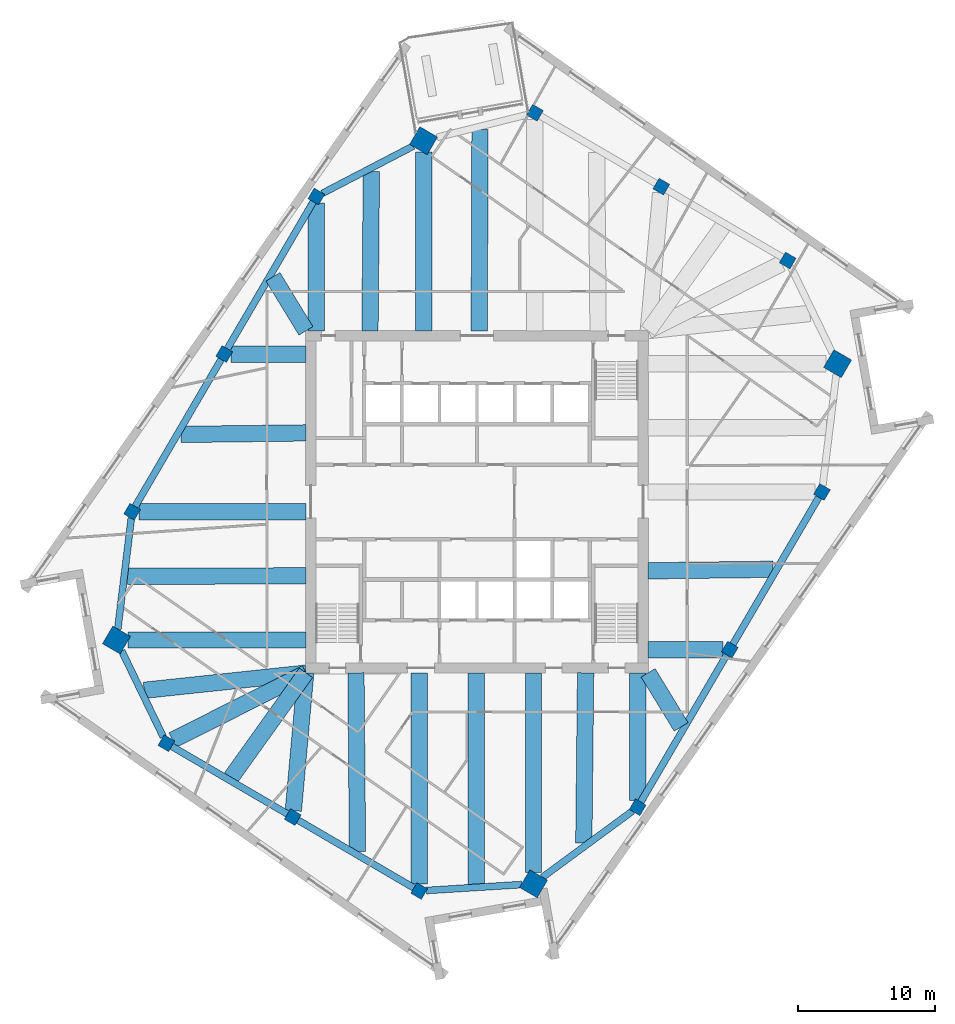
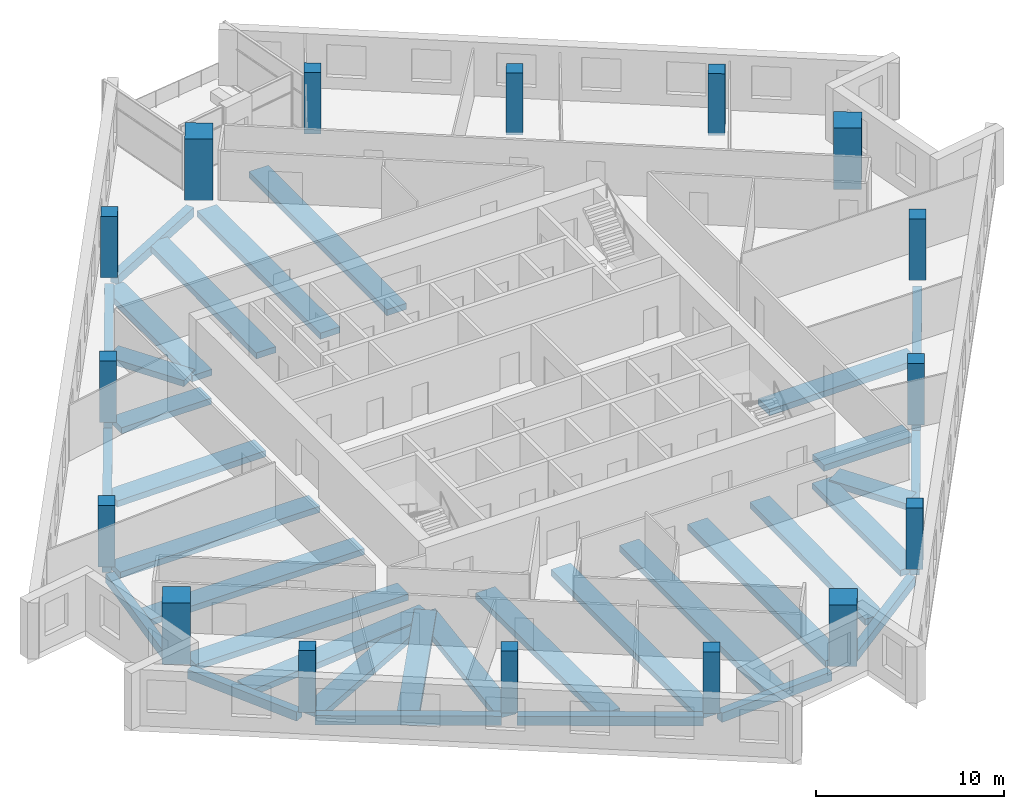
# One storey, part 1 of 13: 34 beams, 16 columns.
"""IFC4 building model written with IfcOpenShell, lengths in metres."""

from ifc_helpers import new_model, si_unit, direction, frame, origin, origin_2d, place, context, subcontext, project, spatial, rectangle, extrude, material, material_profile, profile_set, type_object, element, save


model = new_model("IFC4")

# Units and contexts
model_context = context("Model", 3, precision=1e-05, world=origin(), true_north=direction((0.0, 1.0)))
body_context = subcontext(model_context, "Body", "Model", "MODEL_VIEW")
ifc_project = project(units=[si_unit("LENGTHUNIT", "METRE"), si_unit("AREAUNIT", "SQUARE_METRE"), si_unit("VOLUMEUNIT", "CUBIC_METRE"), si_unit("PLANEANGLEUNIT", "RADIAN"), si_unit("MASSUNIT", "GRAM", prefix="KILO")], contexts=[model_context])

# Site, building, storey
site_placement = place(None, origin())
site = spatial("IfcSite", under=ifc_project, at=site_placement, CompositionType="ELEMENT")
building_placement = place(site_placement, origin())
building = spatial("IfcBuilding", under=site, at=building_placement, Name="Dilmun Exchange Tower", CompositionType="ELEMENT")
storey_placement = place(building_placement, frame((0.0, 0.0, 246.89990234375)))
storey = spatial("IfcBuildingStorey", under=building, at=storey_placement, Name="L58", CompositionType="ELEMENT", Elevation=246.89990234375)

# Columns
ifc_material_1 = material(Name="Concrete C50/60", Category="concrete")
ifc_material_profile_1 = material_profile(ifc_material_1, rectangle(XDim=1.5, YDim=1.5, at=origin_2d()), Name="1500 x 1500")
ifc_profile_set_1 = profile_set([ifc_material_profile_1], Name="Concrete C50/60")
column_type_1 = type_object("IfcColumnType", Name="RC mega column 1500 x 1500 C50/60", PredefinedType="COLUMN", material=ifc_profile_set_1)
for number, where, z_axis, x_axis, name in (
    (1, (-3.9150390625, 26.45703125, 0.0), (0.0, 0.0, 1.0), (0.504643651291, 0.863327739165, 0.0), "Mega column M1"),
    (2, (-26.4150390625, -10.1220703125, 0.0), (0.0, 0.0, 1.0), (0.504643651291, 0.863327739165, 0.0), "Mega column M2"),
    (3, (4.14111328125, -27.98291015625, 0.0), (0.0, 0.0, 1.0), (0.504643651291, 0.863327739165, 0.0), "Mega column M3"),
    (4, (26.4150390625, 10.1220703125, 0.0), (0.0, 0.0, 1.0), (0.504643651291, 0.863327739165, 0.0), "Mega column M4"),
):
    element("IfcColumn", number, at=place(storey_placement, frame(where, z_axis=z_axis, x_axis=x_axis)), inside=storey, type_object=column_type_1, Name=name, PredefinedType="COLUMN", context=body_context, shape_type="SweptSolid", body=[
        extrude(rectangle(XDim=1.5, YDim=1.5, at=origin_2d()), origin(), (0.0, 0.0, 1.0), 4.0),
    ])
ifc_material_profile_2 = material_profile(ifc_material_1, rectangle(XDim=0.89990234375, YDim=0.89990234375, at=origin_2d()), Name="900 x 900")
ifc_profile_set_2 = profile_set([ifc_material_profile_2], Name="Concrete C50/60")
column_type_2 = type_object("IfcColumnType", Name="RC ring column 900 x 900 C50/60", PredefinedType="COLUMN", material=ifc_profile_set_2)
for number, where, z_axis, x_axis, name in (
    (5, (-11.76904296875, 22.3720703125, 0.0), (0.0, 0.0, 1.0), (0.504643651291, 0.863327739165, 0.0), "Ring column R01"),
    (6, (-18.51806640625, 10.824951171875, 0.0), (0.0, 0.0, 1.0), (0.504643651291, 0.863327739165, 0.0), "Ring column R02"),
    (7, (-25.26806640625, -0.721923828125, 0.0), (0.0, 0.0, 1.0), (0.504643651291, 0.863327739165, 0.0), "Ring column R03"),
    (8, (-22.758056640625, -17.681884765625, 0.0), (0.0, 0.0, 1.0), (0.504643651291, 0.863327739165, 0.0), "Ring column R04"),
    (9, (-13.4990234375, -23.093994140625, 0.0), (0.0, 0.0, 1.0), (0.504643651291, 0.863327739165, 0.0), "Ring column R05"),
    (10, (-4.239990234375, -28.506103515625, 0.0), (0.0, 0.0, 1.0), (0.504643651291, 0.863327739165, 0.0), "Ring column R06"),
    (11, (11.76904296875, -22.3720703125, 0.0), (0.0, 0.0, 1.0), (0.504643651291, 0.863327739165, 0.0), "Ring column R07"),
    (12, (18.51806640625, -10.824951171875, 0.0), (0.0, 0.0, 1.0), (0.504643651291, 0.863327739165, 0.0), "Ring column R08"),
    (13, (25.26806640625, 0.721923828125, 0.0), (0.0, 0.0, 1.0), (0.504643651291, 0.863327739165, 0.0), "Ring column R09"),
    (14, (22.758056640625, 17.681884765625, 0.0), (0.0, 0.0, 1.0), (0.504643651291, 0.863327739165, 0.0), "Ring column R10"),
    (15, (13.4990234375, 23.093994140625, 0.0), (0.0, 0.0, 1.0), (0.504643651291, 0.863327739165, 0.0), "Ring column R11"),
    (16, (4.239990234375, 28.506103515625, 0.0), (0.0, 0.0, 1.0), (0.504643651291, 0.863327739165, 0.0), "Ring column R12"),
):
    element("IfcColumn", number, at=place(storey_placement, frame(where, z_axis=z_axis, x_axis=x_axis)), inside=storey, type_object=column_type_2, Name=name, PredefinedType="COLUMN", context=body_context, shape_type="SweptSolid", body=[
        extrude(rectangle(XDim=0.89990234375, YDim=0.89990234375, at=origin_2d()), origin(), (0.0, 0.0, 1.0), 4.0),
    ])

# Beams
ifc_material_2 = material(Name="Concrete C40/50", Category="concrete")
ifc_material_profile_3 = material_profile(ifc_material_2, rectangle(XDim=1.199951171875, YDim=0.39990234375, at=origin_2d()), Name="1200 x 400")
ifc_profile_set_3 = profile_set([ifc_material_profile_3], Name="Concrete C40/50")
beam_type_1 = type_object("IfcBeamType", Name="RC band beam 1200 x 400 C40/50", PredefinedType="BEAM", material=ifc_profile_set_3)
beam_1_placement = place(storey_placement, frame((-3.9150390625, 25.615234375, -0.659912109375), z_axis=(0.0, -1.0, 0.0), x_axis=(1.0, 0.0, 0.0)))
element("IfcBeam", 17, at=beam_1_placement, inside=storey, type_object=beam_type_1, Name="Band beam 1", PredefinedType="BEAM", context=body_context, shape_type="SweptSolid", body=[
    extrude(rectangle(XDim=1.199951171875, YDim=0.39990234375, at=origin_2d()), origin(), (0.0, 0.0, 1.0), 13.09228515625),
])
beam_2_placement = place(storey_placement, frame((-11.76904296875, 21.877685546875, -0.659912109375), z_axis=(0.0, -1.0, 0.0), x_axis=(1.0, 0.0, 0.0)))
element("IfcBeam", 18, at=beam_2_placement, inside=storey, type_object=beam_type_1, Name="Band beam 2", PredefinedType="BEAM", context=body_context, shape_type="SweptSolid", body=[
    extrude(rectangle(XDim=1.199951171875, YDim=0.39990234375, at=origin_2d()), origin(), (0.0, 0.0, 1.0), 9.354736328125),
])
beam_3_placement = place(storey_placement, frame((-18.023681640625, 10.824951171875, -0.659912109375), z_axis=(1.0, 0.0, 0.0), x_axis=(0.0, 1.0, 0.0)))
element("IfcBeam", 19, at=beam_3_placement, inside=storey, type_object=beam_type_1, Name="Band beam 3", PredefinedType="BEAM", context=body_context, shape_type="SweptSolid", body=[
    extrude(rectangle(XDim=1.199951171875, YDim=0.39990234375, at=origin_2d()), origin(), (0.0, 0.0, 1.0), 5.500732421875),
])
beam_4_placement = place(storey_placement, frame((-24.773681640625, -0.721923828125, -0.659912109375), z_axis=(1.0, 0.0, 0.0), x_axis=(0.0, 1.0, 0.0)))
element("IfcBeam", 20, at=beam_4_placement, inside=storey, type_object=beam_type_1, Name="Band beam 4", PredefinedType="BEAM", context=body_context, shape_type="SweptSolid", body=[
    extrude(rectangle(XDim=1.199951171875, YDim=0.39990234375, at=origin_2d()), origin(), (0.0, 0.0, 1.0), 12.250732421875),
])
beam_5_placement = place(storey_placement, frame((-25.5732421875, -10.1220703125, -0.659912109375), z_axis=(1.0, 0.0, 0.0), x_axis=(0.0, 1.0, 0.0)))
element("IfcBeam", 21, at=beam_5_placement, inside=storey, type_object=beam_type_1, Name="Band beam 5", PredefinedType="BEAM", context=body_context, shape_type="SweptSolid", body=[
    extrude(rectangle(XDim=1.199951171875, YDim=0.39990234375, at=origin_2d()), origin(), (0.0, 0.0, 1.0), 13.05029296875),
])
beam_6_placement = place(storey_placement, frame((-22.302734375, -17.453125, -0.659912109375), z_axis=(0.893443377394, 0.449175835716, 0.0), x_axis=(-0.449175835716, 0.893443377394, 0.0)))
element("IfcBeam", 22, at=beam_6_placement, inside=storey, type_object=beam_type_1, Name="Band beam 6", PredefinedType="BEAM", context=body_context, shape_type="SweptSolid", body=[
    extrude(rectangle(XDim=1.199951171875, YDim=0.39990234375, at=origin_2d()), origin(), (0.0, 0.0, 1.0), 10.94287109375),
])
beam_7_placement = place(storey_placement, frame((-13.456787109375, -22.625732421875, -0.659912109375), z_axis=(0.089632924375, 0.995974868593, 0.0), x_axis=(-0.995974868593, 0.089632924375, 0.0)))
element("IfcBeam", 23, at=beam_7_placement, inside=storey, type_object=beam_type_1, Name="Band beam 7", PredefinedType="BEAM", context=body_context, shape_type="SweptSolid", body=[
    extrude(rectangle(XDim=1.199951171875, YDim=0.39990234375, at=origin_2d()), origin(), (0.0, 0.0, 1.0), 10.143310546875),
])
beam_8_placement = place(storey_placement, frame((-4.239990234375, -28.01171875, -0.659912109375), z_axis=(0.0, 1.0, 0.0), x_axis=(-1.0, 0.0, 0.0)))
element("IfcBeam", 24, at=beam_8_placement, inside=storey, type_object=beam_type_1, Name="Band beam 8", PredefinedType="BEAM", context=body_context, shape_type="SweptSolid", body=[
    extrude(rectangle(XDim=1.199951171875, YDim=0.39990234375, at=origin_2d()), origin(), (0.0, 0.0, 1.0), 15.48876953125),
])
beam_9_placement = place(storey_placement, frame((4.14111328125, -27.141357421875, -0.659912109375), z_axis=(0.0, 1.0, 0.0), x_axis=(-1.0, 0.0, 0.0)))
element("IfcBeam", 25, at=beam_9_placement, inside=storey, type_object=beam_type_1, Name="Band beam 9", PredefinedType="BEAM", context=body_context, shape_type="SweptSolid", body=[
    extrude(rectangle(XDim=1.199951171875, YDim=0.39990234375, at=origin_2d()), origin(), (0.0, 0.0, 1.0), 14.618408203125),
])
beam_10_placement = place(storey_placement, frame((11.76904296875, -21.877685546875, -0.659912109375), z_axis=(0.0, 1.0, 0.0), x_axis=(-1.0, 0.0, 0.0)))
element("IfcBeam", 26, at=beam_10_placement, inside=storey, type_object=beam_type_1, Name="Band beam 10", PredefinedType="BEAM", context=body_context, shape_type="SweptSolid", body=[
    extrude(rectangle(XDim=1.199951171875, YDim=0.39990234375, at=origin_2d()), origin(), (0.0, 0.0, 1.0), 9.354736328125),
])
beam_11_placement = place(storey_placement, frame((18.023681640625, -10.824951171875, -0.659912109375), z_axis=(-1.0, 0.0, 0.0), x_axis=(0.0, -1.0, 0.0)))
element("IfcBeam", 27, at=beam_11_placement, inside=storey, type_object=beam_type_1, Name="Band beam 11", PredefinedType="BEAM", context=body_context, shape_type="SweptSolid", body=[
    extrude(rectangle(XDim=1.199951171875, YDim=0.39990234375, at=origin_2d()), origin(), (0.0, 0.0, 1.0), 5.500732421875),
])
beam_12_placement = place(storey_placement, frame((-7.739013671875, 24.216796875, -0.559814453125), z_axis=(-0.008810046818, -0.999961190784, 0.0), x_axis=(0.999961190784, -0.008810046818, 0.0)))
element("IfcBeam", 28, at=beam_12_placement, inside=storey, type_object=beam_type_1, Name="Band beam 17", PredefinedType="BEAM", context=body_context, shape_type="SweptSolid", body=[
    extrude(rectangle(XDim=1.199951171875, YDim=0.39990234375, at=origin_2d()), origin(), (0.0, 0.0, 1.0), 11.6943359375),
])
beam_13_placement = place(storey_placement, frame((-14.950927734375, 16.486083984375, -0.559814453125), z_axis=(0.520868546878, -0.853636899901, 0.0), x_axis=(0.853636899901, 0.520868546878, 0.0)))
element("IfcBeam", 29, at=beam_13_placement, inside=storey, type_object=beam_type_1, Name="Band beam 18", PredefinedType="BEAM", context=body_context, shape_type="SweptSolid", body=[
    extrude(rectangle(XDim=1.199951171875, YDim=0.39990234375, at=origin_2d()), origin(), (0.0, 0.0, 1.0), 4.637451171875),
])
beam_14_placement = place(storey_placement, frame((-21.700439453125, 4.93896484375, -0.559814453125), z_axis=(0.999924810861, 0.01226265164, 0.0), x_axis=(-0.01226265164, 0.999924810861, 0.0)))
element("IfcBeam", 30, at=beam_14_placement, inside=storey, type_object=beam_type_1, Name="Band beam 19", PredefinedType="BEAM", context=body_context, shape_type="SweptSolid", body=[
    extrude(rectangle(XDim=1.199951171875, YDim=0.39990234375, at=origin_2d()), origin(), (0.0, 0.0, 1.0), 9.17822265625),
])
beam_15_placement = place(storey_placement, frame((-25.6201171875, -5.448974609375, -0.559814453125), z_axis=(0.999997897774, 0.002050474756, 0.0), x_axis=(-0.002050474756, 0.999997897774, 0.0)))
element("IfcBeam", 31, at=beam_15_placement, inside=storey, type_object=beam_type_1, Name="Band beam 20", PredefinedType="BEAM", context=body_context, shape_type="SweptSolid", body=[
    extrude(rectangle(XDim=1.199951171875, YDim=0.39990234375, at=origin_2d()), origin(), (0.0, 0.0, 1.0), 13.09716796875),
])
beam_16_placement = place(storey_placement, frame((-24.3857421875, -13.804931640625, -0.559814453125), z_axis=(0.994425543871, 0.105441157505, 0.0), x_axis=(-0.105441157505, 0.994425543871, 0.0)))
element("IfcBeam", 32, at=beam_16_placement, inside=storey, type_object=beam_type_1, Name="Band beam 21", PredefinedType="BEAM", context=body_context, shape_type="SweptSolid", body=[
    extrude(rectangle(XDim=1.199951171875, YDim=0.39990234375, at=origin_2d()), origin(), (0.0, 0.0, 1.0), 11.928955078125),
])
beam_17_placement = place(storey_placement, frame((-18.01611328125, -20.195556640625, -0.559814453125), z_axis=(0.581600762294, 0.81347437163, 0.0), x_axis=(-0.81347437163, 0.581600762294, 0.0)))
element("IfcBeam", 33, at=beam_17_placement, inside=storey, type_object=beam_type_1, Name="Band beam 22", PredefinedType="BEAM", context=body_context, shape_type="SweptSolid", body=[
    extrude(rectangle(XDim=1.199951171875, YDim=0.39990234375, at=origin_2d()), origin(), (0.0, 0.0, 1.0), 9.425537109375),
])
beam_18_placement = place(storey_placement, frame((-8.757080078125, -25.607421875, -0.559814453125), z_axis=(-0.008582734208, 0.999963167658, 0.0), x_axis=(-0.999963167658, -0.008582734208, 0.0)))
element("IfcBeam", 34, at=beam_18_placement, inside=storey, type_object=beam_type_1, Name="Band beam 23", PredefinedType="BEAM", context=body_context, shape_type="SweptSolid", body=[
    extrude(rectangle(XDim=1.199951171875, YDim=0.39990234375, at=origin_2d()), origin(), (0.0, 0.0, 1.0), 13.0849609375),
])
beam_19_placement = place(storey_placement, frame((-0.0634765625, -28.02197265625, -0.559814453125), z_axis=(0.000897863667, 0.99999959692, 0.0), x_axis=(-0.99999959692, 0.000897863667, 0.0)))
element("IfcBeam", 35, at=beam_19_placement, inside=storey, type_object=beam_type_1, Name="Band beam 24", PredefinedType="BEAM", context=body_context, shape_type="SweptSolid", body=[
    extrude(rectangle(XDim=1.199951171875, YDim=0.39990234375, at=origin_2d()), origin(), (0.0, 0.0, 1.0), 15.4990234375),
])
beam_20_placement = place(storey_placement, frame((7.822998046875, -24.997802734375, -0.559814453125), z_axis=(0.010587112348, 0.999943954956, 0.0), x_axis=(-0.999943954956, 0.010587112348, 0.0)))
element("IfcBeam", 36, at=beam_20_placement, inside=storey, type_object=beam_type_1, Name="Band beam 25", PredefinedType="BEAM", context=body_context, shape_type="SweptSolid", body=[
    extrude(rectangle(XDim=1.199951171875, YDim=0.39990234375, at=origin_2d()), origin(), (0.0, 0.0, 1.0), 12.4755859375),
])
beam_21_placement = place(storey_placement, frame((14.950927734375, -16.486083984375, -0.559814453125), z_axis=(-0.520868546878, 0.853636899901, 0.0), x_axis=(-0.853636899901, -0.520868546878, 0.0)))
element("IfcBeam", 37, at=beam_21_placement, inside=storey, type_object=beam_type_1, Name="Band beam 26", PredefinedType="BEAM", context=body_context, shape_type="SweptSolid", body=[
    extrude(rectangle(XDim=1.199951171875, YDim=0.39990234375, at=origin_2d()), origin(), (0.0, 0.0, 1.0), 4.637451171875),
])
beam_22_placement = place(storey_placement, frame((21.700439453125, -4.93896484375, -0.559814453125), z_axis=(-0.999924810861, -0.01226265164, 0.0), x_axis=(0.01226265164, -0.999924810861, 0.0)))
element("IfcBeam", 38, at=beam_22_placement, inside=storey, type_object=beam_type_1, Name="Band beam 27", PredefinedType="BEAM", context=body_context, shape_type="SweptSolid", body=[
    extrude(rectangle(XDim=1.199951171875, YDim=0.39990234375, at=origin_2d()), origin(), (0.0, 0.0, 1.0), 9.17822265625),
])
beam_23_placement = place(storey_placement, frame((0.216796875, 27.26513671875, -0.559814453125), z_axis=(-0.003676445742, -0.999993241851, 0.0), x_axis=(0.999993241851, -0.003676445742, 0.0)))
element("IfcBeam", 39, at=beam_23_placement, inside=storey, type_object=beam_type_1, Name="Band beam 32", PredefinedType="BEAM", context=body_context, shape_type="SweptSolid", body=[
    extrude(rectangle(XDim=1.199951171875, YDim=0.39990234375, at=origin_2d()), origin(), (0.0, 0.0, 1.0), 14.7421875),
])
ifc_material_profile_4 = material_profile(ifc_material_2, rectangle(XDim=0.5, YDim=0.60009765625, at=origin_2d()), Name="500 x 600")
ifc_profile_set_4 = profile_set([ifc_material_profile_4], Name="Concrete C40/50")
beam_type_2 = type_object("IfcBeamType", Name="RC ring beam 500 x 600 C40/50", PredefinedType="SPANDREL", material=ifc_profile_set_4)
beam_24_placement = place(storey_placement, frame((-4.677490234375, 26.060302734375, -0.659912109375), z_axis=(-0.887179966585, -0.461423565599, 0.0), x_axis=(0.461423565599, -0.887179966585, 0.0)))
element("IfcBeam", 40, at=beam_24_placement, inside=storey, type_object=beam_type_2, Name="Ring beam 1", PredefinedType="SPANDREL", context=body_context, shape_type="SweptSolid", body=[
    extrude(rectangle(XDim=0.5, YDim=0.60009765625, at=origin_2d()), origin(), (0.0, 0.0, 1.0), 7.48828125),
])
beam_25_placement = place(storey_placement, frame((-11.982421875, 22.0068359375, -0.659912109375), z_axis=(-0.504603860956, -0.863350996703, 0.0), x_axis=(0.863350996703, -0.504603860956, 0.0)))
element("IfcBeam", 41, at=beam_25_placement, inside=storey, type_object=beam_type_2, Name="Ring beam 2", PredefinedType="SPANDREL", context=body_context, shape_type="SweptSolid", body=[
    extrude(rectangle(XDim=0.5, YDim=0.60009765625, at=origin_2d()), origin(), (0.0, 0.0, 1.0), 12.528564453125),
])
beam_26_placement = place(storey_placement, frame((-18.7314453125, 10.459716796875, -0.659912109375), z_axis=(-0.504670446374, -0.863312075994, 0.0), x_axis=(0.863312075994, -0.504670446374, 0.0)))
element("IfcBeam", 42, at=beam_26_placement, inside=storey, type_object=beam_type_2, Name="Ring beam 3", PredefinedType="SPANDREL", context=body_context, shape_type="SweptSolid", body=[
    extrude(rectangle(XDim=0.5, YDim=0.60009765625, at=origin_2d()), origin(), (0.0, 0.0, 1.0), 12.529052734375),
])
beam_27_placement = place(storey_placement, frame((-25.32421875, -1.181640625, -0.659912109375), z_axis=(-0.121108645076, -0.992639257781, 0.0), x_axis=(0.992639257781, -0.121108645076, 0.0)))
element("IfcBeam", 43, at=beam_27_placement, inside=storey, type_object=beam_type_2, Name="Ring beam 4", PredefinedType="SPANDREL", context=body_context, shape_type="SweptSolid", body=[
    extrude(rectangle(XDim=0.5, YDim=0.60009765625, at=origin_2d()), origin(), (0.0, 0.0, 1.0), 8.216796875),
])
beam_28_placement = place(storey_placement, frame((-26.033447265625, -10.910888671875, -0.659912109375), z_axis=(0.435439794363, -0.900217854458, 0.0), x_axis=(0.900217854458, 0.435439794363, 0.0)))
element("IfcBeam", 44, at=beam_28_placement, inside=storey, type_object=beam_type_2, Name="Ring beam 5", PredefinedType="SPANDREL", context=body_context, shape_type="SweptSolid", body=[
    extrude(rectangle(XDim=0.5, YDim=0.60009765625, at=origin_2d()), origin(), (0.0, 0.0, 1.0), 7.0068359375),
])
beam_29_placement = place(storey_placement, frame((-22.392822265625, -17.8955078125, -0.659912109375), z_axis=(0.863333071594, -0.504634528637, 0.0), x_axis=(0.504634528637, 0.863333071594, 0.0)))
element("IfcBeam", 45, at=beam_29_placement, inside=storey, type_object=beam_type_2, Name="Ring beam 6", PredefinedType="SPANDREL", context=body_context, shape_type="SweptSolid", body=[
    extrude(rectangle(XDim=0.5, YDim=0.60009765625, at=origin_2d()), origin(), (0.0, 0.0, 1.0), 9.878662109375),
])
beam_30_placement = place(storey_placement, frame((-13.1337890625, -23.3076171875, -0.659912109375), z_axis=(0.863343838609, -0.504616107884, 0.0), x_axis=(0.504616107884, 0.863343838609, 0.0)))
element("IfcBeam", 46, at=beam_30_placement, inside=storey, type_object=beam_type_2, Name="Ring beam 7", PredefinedType="SPANDREL", context=body_context, shape_type="SweptSolid", body=[
    extrude(rectangle(XDim=0.5, YDim=0.60009765625, at=origin_2d()), origin(), (0.0, 0.0, 1.0), 9.87841796875),
])
beam_31_placement = place(storey_placement, frame((-3.72607421875, -28.473876953125, -0.659912109375), z_axis=(0.998059216844, 0.062271981443, 0.0), x_axis=(-0.062271981443, 0.998059216844, 0.0)))
element("IfcBeam", 47, at=beam_31_placement, inside=storey, type_object=beam_type_2, Name="Ring beam 8", PredefinedType="SPANDREL", context=body_context, shape_type="SweptSolid", body=[
    extrude(rectangle(XDim=0.5, YDim=0.60009765625, at=origin_2d()), origin(), (0.0, 0.0, 1.0), 7.006103515625),
])
beam_32_placement = place(storey_placement, frame((4.77734375, -27.514892578125, -0.659912109375), z_axis=(0.805549228719, 0.592528851711, 0.0), x_axis=(-0.592528851711, 0.805549228719, 0.0)))
element("IfcBeam", 48, at=beam_32_placement, inside=storey, type_object=beam_type_2, Name="Ring beam 9", PredefinedType="SPANDREL", context=body_context, shape_type="SweptSolid", body=[
    extrude(rectangle(XDim=0.5, YDim=0.60009765625, at=origin_2d()), origin(), (0.0, 0.0, 1.0), 8.21630859375),
])
beam_33_placement = place(storey_placement, frame((11.982421875, -22.0068359375, -0.659912109375), z_axis=(0.504603860956, 0.863350996703, 0.0), x_axis=(-0.863350996703, 0.504603860956, 0.0)))
element("IfcBeam", 49, at=beam_33_placement, inside=storey, type_object=beam_type_2, Name="Ring beam 10", PredefinedType="SPANDREL", context=body_context, shape_type="SweptSolid", body=[
    extrude(rectangle(XDim=0.5, YDim=0.60009765625, at=origin_2d()), origin(), (0.0, 0.0, 1.0), 12.528564453125),
])
beam_34_placement = place(storey_placement, frame((18.7314453125, -10.459716796875, -0.659912109375), z_axis=(0.504670446374, 0.863312075994, 0.0), x_axis=(-0.863312075994, 0.504670446374, 0.0)))
element("IfcBeam", 50, at=beam_34_placement, inside=storey, type_object=beam_type_2, Name="Ring beam 11", PredefinedType="SPANDREL", context=body_context, shape_type="SweptSolid", body=[
    extrude(rectangle(XDim=0.5, YDim=0.60009765625, at=origin_2d()), origin(), (0.0, 0.0, 1.0), 12.529052734375),
])

save(model, "model.ifc")
